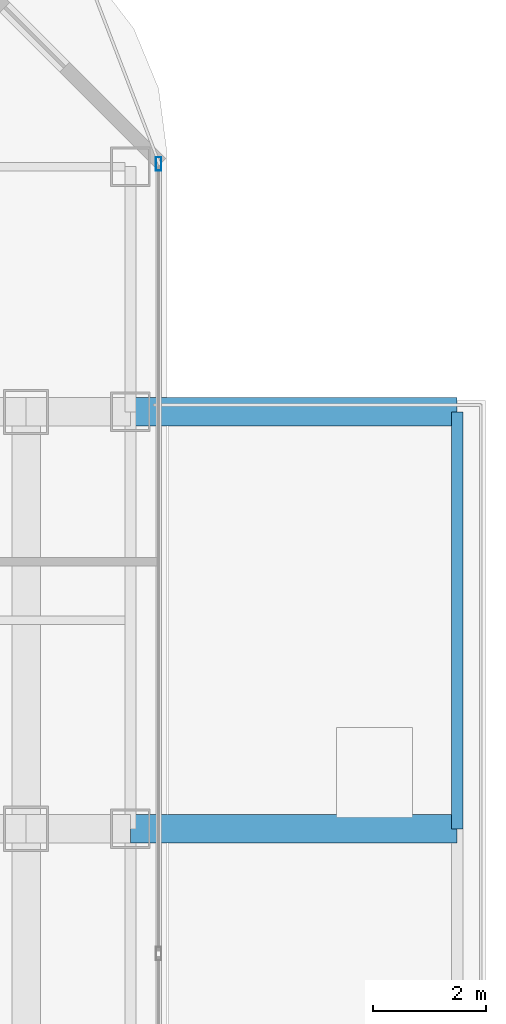
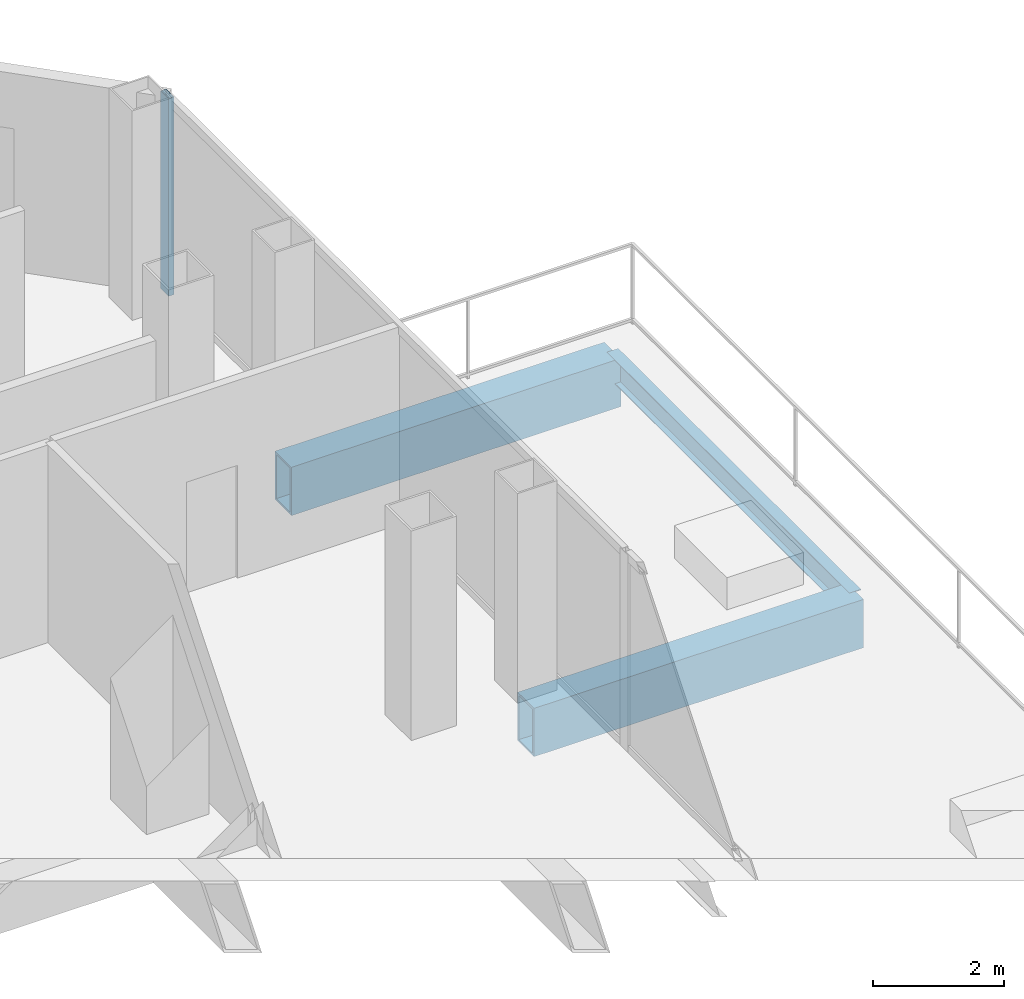
# One storey, part 16 of 27: 3 beams, 1 member, 1 element without a shape of its own.
"""IFC4 building model written with IfcOpenShell, lengths in metres."""

from ifc_helpers import new_model, si_unit, direction, frame, origin, origin_2d, place, context, subcontext, project, spatial, hollow_rectangle, i_section, extrude, material, layer, layer_set, material_profile, profile_set, type_object, element, aggregate, save


model = new_model("IFC4")

# Units and contexts
model_context = context("Model", 3, precision=1e-05, world=origin(), true_north=direction((0.0, 1.0)))
body_context = subcontext(model_context, "Body", "Model", "MODEL_VIEW")
ifc_project = project(units=[si_unit("LENGTHUNIT", "METRE"), si_unit("AREAUNIT", "SQUARE_METRE"), si_unit("VOLUMEUNIT", "CUBIC_METRE"), si_unit("PLANEANGLEUNIT", "RADIAN"), si_unit("MASSUNIT", "GRAM", prefix="KILO")], contexts=[model_context])

# Site, building, storey
site_placement = place(None, origin())
site = spatial("IfcSite", under=ifc_project, at=site_placement, CompositionType="ELEMENT")
building_placement = place(site_placement, origin())
building = spatial("IfcBuilding", under=site, at=building_placement, Name="Khorvyn Point Tower", CompositionType="ELEMENT")
storey_placement = place(building_placement, frame((0.0, 0.0, 168.0)))
storey = spatial("IfcBuildingStorey", under=building, at=storey_placement, Name="L41", CompositionType="ELEMENT", Elevation=168.0)

# Curtain wall, member
ifc_material_1 = material(Name="Anodised aluminium 6063-T6 and laminated Low-E glass", Category="aluminium")
ifc_layer = layer(ifc_material_1, 0.18994140625)
ifc_layer_set = layer_set([ifc_layer], Name="Stick-Built Acoustic Curtain Wall CW-SYS-03")
curtain_wall_type = type_object("IfcCurtainWallType", Name="Stick-Built Acoustic Curtain Wall CW-SYS-03", PredefinedType="NOTDEFINED", material=ifc_layer_set)
curtain_wall_placement = place(storey_placement, origin())
curtain_wall = element("IfcCurtainWall", 1, at=curtain_wall_placement, inside=storey, type_object=curtain_wall_type, Name="Curtain Wall", PredefinedType="NOTDEFINED")
ifc_material_2 = material(Name="Anodised aluminium 6063-T6", Category="aluminium")
ifc_material_profile_1 = material_profile(ifc_material_2, hollow_rectangle(XDim=0.10009765625, YDim=0.239990234375, WallThickness=0.0048828125, at=origin_2d()))
ifc_profile_set_1 = profile_set([ifc_material_profile_1], Name="Anodised aluminium 6063-T6 ALU-MUL-100x240")
member_type = type_object("IfcMemberType", Name="Anodised Aluminium 6063-T6 Mullion ALU-MUL-100x240", PredefinedType="MULLION", material=ifc_profile_set_1)
member_placement = place(storey_placement, frame((21.75, 19.199951171875, 0.0), z_axis=(0.0, 0.0, 1.0), x_axis=(1.0, 0.0, 0.0)))
member = element("IfcMember", 2, at=member_placement, type_object=member_type, Name="Transom", PredefinedType="MULLION", context=body_context, shape_type="SweptSolid", body=[
    extrude(hollow_rectangle(XDim=0.10009765625, YDim=0.239990234375, WallThickness=0.0048828125, at=origin_2d()), origin(), (0.0, 0.0, 1.0), 3.679931640625),
])
aggregate(curtain_wall, [member])

# Beams
ifc_material_3 = material(Name="Steel S355", Category="steel")
ifc_material_profile_2 = material_profile(ifc_material_3, i_section(OverallWidth=0.199951171875, OverallDepth=0.449951171875, WebThickness=0.009033203125, FlangeThickness=0.013916015625, at=origin_2d()))
ifc_profile_set_2 = profile_set([ifc_material_profile_2], Name="Steel S355 H450x200x9x14")
beam_type_1 = type_object("IfcBeamType", Name="Steel S355 Spandrel H450x200x9x14", PredefinedType="SPANDREL", material=ifc_profile_set_2)
beam_placement = place(storey_placement, frame((27.050048828125, 7.39990234375, -0.5048828125), z_axis=(0.0, 1.0, 0.0), x_axis=(-1.0, 0.0, 0.0)))
element("IfcBeam", 3, at=beam_placement, inside=storey, type_object=beam_type_1, Name="Beam", PredefinedType="SPANDREL", context=body_context, shape_type="SweptSolid", body=[
    extrude(i_section(OverallWidth=0.199951171875, OverallDepth=0.449951171875, WebThickness=0.009033203125, FlangeThickness=0.013916015625, at=origin_2d()), origin(), (0.0, 0.0, 1.0), 7.400146484375),
])
ifc_material_4 = material(Name="Steel S450", Category="steel")
ifc_material_profile_3 = material_profile(ifc_material_4, hollow_rectangle(XDim=0.5, YDim=0.89990234375, WallThickness=0.0400390625, at=origin_2d()))
ifc_profile_set_3 = profile_set([ifc_material_profile_3], Name="Steel S450 BOX900x500x40")
beam_type_2 = type_object("IfcBeamType", Name="Steel S450 Beam BOX900x500x40", PredefinedType="BEAM", material=ifc_profile_set_3)
for number, where, z_axis, x_axis, name in (
    (4, (21.25, 14.800048828125, -0.72998046875), (1.0, 0.0, 0.0), (0.0, 1.0, 0.0), "L41 Radial Transfer Girder"),
    (5, (21.25, 7.39990234375, -0.72998046875), (1.0, 0.0, 0.0), (0.0, 1.0, 0.0), "Beam"),
):
    element("IfcBeam", number, at=place(storey_placement, frame(where, z_axis=z_axis, x_axis=x_axis)), inside=storey, type_object=beam_type_2, Name=name, PredefinedType="BEAM", context=body_context, shape_type="SweptSolid", body=[
        extrude(hollow_rectangle(XDim=0.5, YDim=0.89990234375, WallThickness=0.0400390625, at=origin_2d()), origin(), (0.0, 0.0, 1.0), 5.800048828125),
    ])

save(model, "model.ifc")
